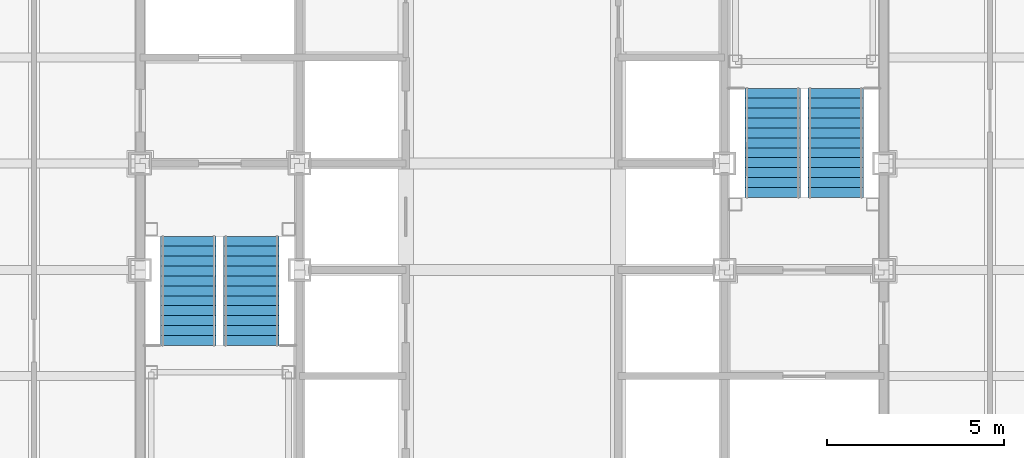
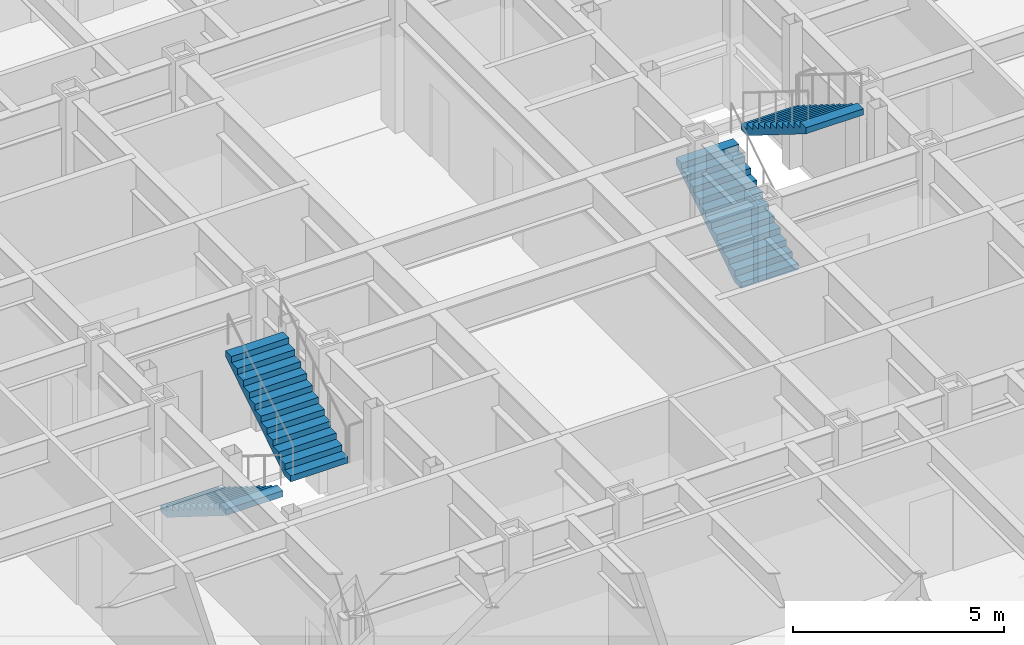
# One storey, part 14 of 16: 4 stair flights, 2 elements without a shape of their own.
"""IFC4 building model written with IfcOpenShell, lengths in metres."""

from ifc_helpers import new_model, si_unit, direction, frame, origin, place, context, subcontext, project, spatial, faceted_brep, material, type_object, element, aggregate, save


model = new_model("IFC4")

# Units and contexts
model_context = context("Model", 3, precision=1e-05, world=origin(), true_north=direction((0.0, 1.0)))
body_context = subcontext(model_context, "Body", "Model", "MODEL_VIEW")
ifc_project = project(units=[si_unit("LENGTHUNIT", "METRE"), si_unit("AREAUNIT", "SQUARE_METRE"), si_unit("VOLUMEUNIT", "CUBIC_METRE"), si_unit("PLANEANGLEUNIT", "RADIAN"), si_unit("MASSUNIT", "GRAM", prefix="KILO")], contexts=[model_context])

# Site, building, storey
site_placement = place(None, origin())
site = spatial("IfcSite", under=ifc_project, at=site_placement, CompositionType="ELEMENT")
building_placement = place(site_placement, origin())
building = spatial("IfcBuilding", under=site, at=building_placement, Name="Chuquiago Exchange Tower", CompositionType="ELEMENT")
storey_placement = place(building_placement, frame((0.0, 0.0, 201.300048828125)))
storey = spatial("IfcBuildingStorey", under=building, at=storey_placement, Name="L44", CompositionType="ELEMENT", Elevation=201.300048828125)

# Stair, stair flights
ifc_material_1 = material(Name="Concrete C30/37, precast", Category="concrete")
stair_type_1 = type_object("IfcStairType", Name="ST1 half-turn stair 4200", PredefinedType="HALF_TURN_STAIR", material=ifc_material_1)
stair_1_placement = place(storey_placement, origin())
stair_1 = element("IfcStair", 1, at=stair_1_placement, inside=storey, type_object=stair_type_1, Name="Stair ST1 L44", PredefinedType="HALF_TURN_STAIR")
ifc_material_2 = material(Name="Concrete C30/37, precast", Category="concrete")
stair_flight_type = type_object("IfcStairFlightType", Name="ST-F flight 1570 for 4200 storey", PredefinedType="STRAIGHT", material=ifc_material_2)
stair_flight_1_placement = place(storey_placement, frame((13.360107421875, 21.949951171875, 0.0), z_axis=(0.0, 0.0, 1.0), x_axis=(0.0, -1.0, 0.0)))
stair_flight_1 = element("IfcStairFlight", 2, at=stair_flight_1_placement, type_object=stair_flight_type, Name="ST1 flight 1", NumberOfRisers=12, NumberOfTreads=11, PredefinedType="STRAIGHT", RiserHeight=0.175, TreadLength=0.28, context=body_context, shape_type="Brep", body=[
    faceted_brep([(0.0, 0.78515625, 0.0), (0.0, 0.78515625, 0.175048828125), (0.280029296875, 0.78515625, 0.175048828125), (0.280029296875, 0.78515625, 0.35009765625), (0.56005859375, 0.78515625, 0.35009765625), (0.56005859375, 0.78515625, 0.52490234375), (0.840087890625, 0.78515625, 0.52490234375), (0.840087890625, 0.78515625, 0.699951171875), (1.1201171875, 0.78515625, 0.699951171875), (1.1201171875, 0.78515625, 0.875), (1.39990234375, 0.78515625, 0.875), (1.39990234375, 0.78515625, 1.050048828125), (1.679931640625, 0.78515625, 1.050048828125), (1.679931640625, 0.78515625, 1.22509765625), (1.9599609375, 0.78515625, 1.22509765625), (1.9599609375, 0.78515625, 1.39990234375), (2.239990234375, 0.78515625, 1.39990234375), (2.239990234375, 0.78515625, 1.574951171875), (2.52001953125, 0.78515625, 1.574951171875), (2.52001953125, 0.78515625, 1.75), (2.800048828125, 0.78515625, 1.75), (2.800048828125, 0.78515625, 1.925048828125), (3.080078125, 0.78515625, 1.925048828125), (3.080078125, 0.78515625, 1.748291015625), (0.28271484375, 0.78515625, 0.0), (0.28271484375, -0.78515625, 0.0), (3.080078125, -0.78515625, 1.748291015625), (3.080078125, -0.78515625, 1.925048828125), (2.800048828125, -0.78515625, 1.925048828125), (2.800048828125, -0.78515625, 1.75), (2.52001953125, -0.78515625, 1.75), (2.52001953125, -0.78515625, 1.574951171875), (2.239990234375, -0.78515625, 1.574951171875), (2.239990234375, -0.78515625, 1.39990234375), (1.9599609375, -0.78515625, 1.39990234375), (1.9599609375, -0.78515625, 1.22509765625), (1.679931640625, -0.78515625, 1.22509765625), (1.679931640625, -0.78515625, 1.050048828125), (1.39990234375, -0.78515625, 1.050048828125), (1.39990234375, -0.78515625, 0.875), (1.1201171875, -0.78515625, 0.875), (1.1201171875, -0.78515625, 0.699951171875), (0.840087890625, -0.78515625, 0.699951171875), (0.840087890625, -0.78515625, 0.52490234375), (0.56005859375, -0.78515625, 0.52490234375), (0.56005859375, -0.78515625, 0.35009765625), (0.280029296875, -0.78515625, 0.35009765625), (0.280029296875, -0.78515625, 0.175048828125), (0.0, -0.78515625, 0.175048828125), (0.0, -0.78515625, 0.0), (0.0, 0.392578125, 0.0), (0.0, 0.392578125, 0.175048828125), (0.0, 0.0, 0.0), (0.0, 0.0, 0.175048828125), (0.0, -0.392578125, 0.0), (0.0, -0.392578125, 0.175048828125), (0.280029296875, 0.392578125, 0.175048828125), (0.280029296875, 0.0, 0.175048828125), (0.280029296875, -0.392578125, 0.175048828125), (0.280029296875, 0.392578125, 0.35009765625), (0.280029296875, 0.0, 0.35009765625), (0.280029296875, -0.392578125, 0.35009765625), (0.56005859375, 0.392578125, 0.35009765625), (0.56005859375, 0.0, 0.35009765625), (0.56005859375, -0.392578125, 0.35009765625), (0.56005859375, 0.392578125, 0.52490234375), (0.56005859375, 0.0, 0.52490234375), (0.56005859375, -0.392578125, 0.52490234375), (0.840087890625, 0.392578125, 0.52490234375), (0.840087890625, 0.0, 0.52490234375), (0.840087890625, -0.392578125, 0.52490234375), (0.840087890625, 0.392578125, 0.699951171875), (0.840087890625, 0.0, 0.699951171875), (0.840087890625, -0.392578125, 0.699951171875), (1.1201171875, 0.392578125, 0.699951171875), (1.1201171875, 0.0, 0.699951171875), (1.1201171875, -0.392578125, 0.699951171875), (1.1201171875, 0.392578125, 0.875), (1.1201171875, 0.0, 0.875), (1.1201171875, -0.392578125, 0.875), (1.39990234375, 0.392578125, 0.875), (1.39990234375, 0.0, 0.875), (1.39990234375, -0.392578125, 0.875), (1.39990234375, 0.392578125, 1.050048828125), (1.39990234375, 0.0, 1.050048828125), (1.39990234375, -0.392578125, 1.050048828125), (1.679931640625, 0.392578125, 1.050048828125), (1.679931640625, 0.0, 1.050048828125), (1.679931640625, -0.392578125, 1.050048828125), (1.679931640625, 0.392578125, 1.22509765625), (1.679931640625, 0.0, 1.22509765625), (1.679931640625, -0.392578125, 1.22509765625), (1.9599609375, 0.392578125, 1.22509765625), (1.9599609375, 0.0, 1.22509765625), (1.9599609375, -0.392578125, 1.22509765625), (1.9599609375, 0.392578125, 1.39990234375), (1.9599609375, 0.0, 1.39990234375), (1.9599609375, -0.392578125, 1.39990234375), (2.239990234375, 0.392578125, 1.39990234375), (2.239990234375, 0.0, 1.39990234375), (2.239990234375, -0.392578125, 1.39990234375), (2.239990234375, 0.392578125, 1.574951171875), (2.239990234375, 0.0, 1.574951171875), (2.239990234375, -0.392578125, 1.574951171875), (2.52001953125, 0.392578125, 1.574951171875), (2.52001953125, 0.0, 1.574951171875), (2.52001953125, -0.392578125, 1.574951171875), (2.52001953125, 0.392578125, 1.75), (2.52001953125, 0.0, 1.75), (2.52001953125, -0.392578125, 1.75), (2.800048828125, 0.392578125, 1.75), (2.800048828125, 0.0, 1.75), (2.800048828125, -0.392578125, 1.75), (2.800048828125, 0.392578125, 1.925048828125), (2.800048828125, 0.0, 1.925048828125), (2.800048828125, -0.392578125, 1.925048828125), (3.080078125, 0.392578125, 1.925048828125), (3.080078125, 0.0, 1.925048828125), (3.080078125, -0.392578125, 1.925048828125), (3.080078125, 0.392578125, 1.748291015625), (3.080078125, 0.0, 1.748291015625), (3.080078125, -0.392578125, 1.748291015625), (0.28271484375, 0.392578125, 0.0), (0.28271484375, 0.0, 0.0), (0.28271484375, -0.392578125, 0.0)], [[[0, 1, 2, 3, 4, 5, 6, 7, 8, 9, 10, 11, 12, 13, 14, 15, 16, 17, 18, 19, 20, 21, 22, 23, 24]], [[25, 26, 27, 28, 29, 30, 31, 32, 33, 34, 35, 36, 37, 38, 39, 40, 41, 42, 43, 44, 45, 46, 47, 48, 49]], [[1, 0, 50, 51]], [[51, 50, 52, 53]], [[53, 52, 54, 55]], [[55, 54, 49, 48]], [[2, 1, 51, 56]], [[56, 51, 53, 57]], [[57, 53, 55, 58]], [[58, 55, 48, 47]], [[3, 2, 56, 59]], [[59, 56, 57, 60]], [[60, 57, 58, 61]], [[61, 58, 47, 46]], [[4, 3, 59, 62]], [[62, 59, 60, 63]], [[63, 60, 61, 64]], [[64, 61, 46, 45]], [[5, 4, 62, 65]], [[65, 62, 63, 66]], [[66, 63, 64, 67]], [[67, 64, 45, 44]], [[6, 5, 65, 68]], [[68, 65, 66, 69]], [[69, 66, 67, 70]], [[70, 67, 44, 43]], [[7, 6, 68, 71]], [[71, 68, 69, 72]], [[72, 69, 70, 73]], [[73, 70, 43, 42]], [[8, 7, 71, 74]], [[74, 71, 72, 75]], [[75, 72, 73, 76]], [[76, 73, 42, 41]], [[9, 8, 74, 77]], [[77, 74, 75, 78]], [[78, 75, 76, 79]], [[79, 76, 41, 40]], [[10, 9, 77, 80]], [[80, 77, 78, 81]], [[81, 78, 79, 82]], [[82, 79, 40, 39]], [[11, 10, 80, 83]], [[83, 80, 81, 84]], [[84, 81, 82, 85]], [[85, 82, 39, 38]], [[12, 11, 83, 86]], [[86, 83, 84, 87]], [[87, 84, 85, 88]], [[88, 85, 38, 37]], [[13, 12, 86, 89]], [[89, 86, 87, 90]], [[90, 87, 88, 91]], [[91, 88, 37, 36]], [[14, 13, 89, 92]], [[92, 89, 90, 93]], [[93, 90, 91, 94]], [[94, 91, 36, 35]], [[15, 14, 92, 95]], [[95, 92, 93, 96]], [[96, 93, 94, 97]], [[97, 94, 35, 34]], [[16, 15, 95, 98]], [[98, 95, 96, 99]], [[99, 96, 97, 100]], [[100, 97, 34, 33]], [[17, 16, 98, 101]], [[101, 98, 99, 102]], [[102, 99, 100, 103]], [[103, 100, 33, 32]], [[18, 17, 101, 104]], [[104, 101, 102, 105]], [[105, 102, 103, 106]], [[106, 103, 32, 31]], [[19, 18, 104, 107]], [[107, 104, 105, 108]], [[108, 105, 106, 109]], [[109, 106, 31, 30]], [[20, 19, 107, 110]], [[110, 107, 108, 111]], [[111, 108, 109, 112]], [[112, 109, 30, 29]], [[21, 20, 110, 113]], [[113, 110, 111, 114]], [[114, 111, 112, 115]], [[115, 112, 29, 28]], [[22, 21, 113, 116]], [[116, 113, 114, 117]], [[117, 114, 115, 118]], [[118, 115, 28, 27]], [[23, 22, 116, 119]], [[119, 116, 117, 120]], [[120, 117, 118, 121]], [[121, 118, 27, 26]], [[24, 23, 119, 122]], [[122, 119, 120, 123]], [[123, 120, 121, 124]], [[124, 121, 26, 25]], [[0, 24, 122, 50]], [[50, 122, 123, 52]], [[52, 123, 124, 54]], [[54, 124, 25, 49]]]),
])
stair_flight_2_placement = place(storey_placement, frame((15.139892578125, 18.8701171875, 2.099853515625), z_axis=(0.0, 0.0, 1.0), x_axis=(0.0, 1.0, 0.0)))
stair_flight_2 = element("IfcStairFlight", 3, at=stair_flight_2_placement, type_object=stair_flight_type, Name="ST1 flight 2", NumberOfRisers=12, NumberOfTreads=11, PredefinedType="STRAIGHT", RiserHeight=0.175, TreadLength=0.28, context=body_context, shape_type="Brep", body=[
    faceted_brep([(0.0, 0.78515625, 0.0), (0.0, 0.78515625, 0.175048828125), (0.280029296875, 0.78515625, 0.175048828125), (0.280029296875, 0.78515625, 0.35009765625), (0.56005859375, 0.78515625, 0.35009765625), (0.56005859375, 0.78515625, 0.52490234375), (0.840087890625, 0.78515625, 0.52490234375), (0.840087890625, 0.78515625, 0.699951171875), (1.1201171875, 0.78515625, 0.699951171875), (1.1201171875, 0.78515625, 0.875), (1.39990234375, 0.78515625, 0.875), (1.39990234375, 0.78515625, 1.050048828125), (1.679931640625, 0.78515625, 1.050048828125), (1.679931640625, 0.78515625, 1.22509765625), (1.9599609375, 0.78515625, 1.22509765625), (1.9599609375, 0.78515625, 1.39990234375), (2.239990234375, 0.78515625, 1.39990234375), (2.239990234375, 0.78515625, 1.574951171875), (2.52001953125, 0.78515625, 1.574951171875), (2.52001953125, 0.78515625, 1.75), (2.800048828125, 0.78515625, 1.75), (2.800048828125, 0.78515625, 1.925048828125), (3.080078125, 0.78515625, 1.925048828125), (3.080078125, 0.78515625, 1.748291015625), (0.28271484375, 0.78515625, 0.0), (0.28271484375, -0.78515625, 0.0), (3.080078125, -0.78515625, 1.748291015625), (3.080078125, -0.78515625, 1.925048828125), (2.800048828125, -0.78515625, 1.925048828125), (2.800048828125, -0.78515625, 1.75), (2.52001953125, -0.78515625, 1.75), (2.52001953125, -0.78515625, 1.574951171875), (2.239990234375, -0.78515625, 1.574951171875), (2.239990234375, -0.78515625, 1.39990234375), (1.9599609375, -0.78515625, 1.39990234375), (1.9599609375, -0.78515625, 1.22509765625), (1.679931640625, -0.78515625, 1.22509765625), (1.679931640625, -0.78515625, 1.050048828125), (1.39990234375, -0.78515625, 1.050048828125), (1.39990234375, -0.78515625, 0.875), (1.1201171875, -0.78515625, 0.875), (1.1201171875, -0.78515625, 0.699951171875), (0.840087890625, -0.78515625, 0.699951171875), (0.840087890625, -0.78515625, 0.52490234375), (0.56005859375, -0.78515625, 0.52490234375), (0.56005859375, -0.78515625, 0.35009765625), (0.280029296875, -0.78515625, 0.35009765625), (0.280029296875, -0.78515625, 0.175048828125), (0.0, -0.78515625, 0.175048828125), (0.0, -0.78515625, 0.0), (0.0, 0.392578125, 0.0), (0.0, 0.392578125, 0.175048828125), (0.0, 0.0, 0.0), (0.0, 0.0, 0.175048828125), (0.0, -0.392578125, 0.0), (0.0, -0.392578125, 0.175048828125), (0.280029296875, 0.392578125, 0.175048828125), (0.280029296875, 0.0, 0.175048828125), (0.280029296875, -0.392578125, 0.175048828125), (0.280029296875, 0.392578125, 0.35009765625), (0.280029296875, 0.0, 0.35009765625), (0.280029296875, -0.392578125, 0.35009765625), (0.56005859375, 0.392578125, 0.35009765625), (0.56005859375, 0.0, 0.35009765625), (0.56005859375, -0.392578125, 0.35009765625), (0.56005859375, 0.392578125, 0.52490234375), (0.56005859375, 0.0, 0.52490234375), (0.56005859375, -0.392578125, 0.52490234375), (0.840087890625, 0.392578125, 0.52490234375), (0.840087890625, 0.0, 0.52490234375), (0.840087890625, -0.392578125, 0.52490234375), (0.840087890625, 0.392578125, 0.699951171875), (0.840087890625, 0.0, 0.699951171875), (0.840087890625, -0.392578125, 0.699951171875), (1.1201171875, 0.392578125, 0.699951171875), (1.1201171875, 0.0, 0.699951171875), (1.1201171875, -0.392578125, 0.699951171875), (1.1201171875, 0.392578125, 0.875), (1.1201171875, 0.0, 0.875), (1.1201171875, -0.392578125, 0.875), (1.39990234375, 0.392578125, 0.875), (1.39990234375, 0.0, 0.875), (1.39990234375, -0.392578125, 0.875), (1.39990234375, 0.392578125, 1.050048828125), (1.39990234375, 0.0, 1.050048828125), (1.39990234375, -0.392578125, 1.050048828125), (1.679931640625, 0.392578125, 1.050048828125), (1.679931640625, 0.0, 1.050048828125), (1.679931640625, -0.392578125, 1.050048828125), (1.679931640625, 0.392578125, 1.22509765625), (1.679931640625, 0.0, 1.22509765625), (1.679931640625, -0.392578125, 1.22509765625), (1.9599609375, 0.392578125, 1.22509765625), (1.9599609375, 0.0, 1.22509765625), (1.9599609375, -0.392578125, 1.22509765625), (1.9599609375, 0.392578125, 1.39990234375), (1.9599609375, 0.0, 1.39990234375), (1.9599609375, -0.392578125, 1.39990234375), (2.239990234375, 0.392578125, 1.39990234375), (2.239990234375, 0.0, 1.39990234375), (2.239990234375, -0.392578125, 1.39990234375), (2.239990234375, 0.392578125, 1.574951171875), (2.239990234375, 0.0, 1.574951171875), (2.239990234375, -0.392578125, 1.574951171875), (2.52001953125, 0.392578125, 1.574951171875), (2.52001953125, 0.0, 1.574951171875), (2.52001953125, -0.392578125, 1.574951171875), (2.52001953125, 0.392578125, 1.75), (2.52001953125, 0.0, 1.75), (2.52001953125, -0.392578125, 1.75), (2.800048828125, 0.392578125, 1.75), (2.800048828125, 0.0, 1.75), (2.800048828125, -0.392578125, 1.75), (2.800048828125, 0.392578125, 1.925048828125), (2.800048828125, 0.0, 1.925048828125), (2.800048828125, -0.392578125, 1.925048828125), (3.080078125, 0.392578125, 1.925048828125), (3.080078125, 0.0, 1.925048828125), (3.080078125, -0.392578125, 1.925048828125), (3.080078125, 0.392578125, 1.748291015625), (3.080078125, 0.0, 1.748291015625), (3.080078125, -0.392578125, 1.748291015625), (0.28271484375, 0.392578125, 0.0), (0.28271484375, 0.0, 0.0), (0.28271484375, -0.392578125, 0.0)], [[[0, 1, 2, 3, 4, 5, 6, 7, 8, 9, 10, 11, 12, 13, 14, 15, 16, 17, 18, 19, 20, 21, 22, 23, 24]], [[25, 26, 27, 28, 29, 30, 31, 32, 33, 34, 35, 36, 37, 38, 39, 40, 41, 42, 43, 44, 45, 46, 47, 48, 49]], [[1, 0, 50, 51]], [[51, 50, 52, 53]], [[53, 52, 54, 55]], [[55, 54, 49, 48]], [[2, 1, 51, 56]], [[56, 51, 53, 57]], [[57, 53, 55, 58]], [[58, 55, 48, 47]], [[3, 2, 56, 59]], [[59, 56, 57, 60]], [[60, 57, 58, 61]], [[61, 58, 47, 46]], [[4, 3, 59, 62]], [[62, 59, 60, 63]], [[63, 60, 61, 64]], [[64, 61, 46, 45]], [[5, 4, 62, 65]], [[65, 62, 63, 66]], [[66, 63, 64, 67]], [[67, 64, 45, 44]], [[6, 5, 65, 68]], [[68, 65, 66, 69]], [[69, 66, 67, 70]], [[70, 67, 44, 43]], [[7, 6, 68, 71]], [[71, 68, 69, 72]], [[72, 69, 70, 73]], [[73, 70, 43, 42]], [[8, 7, 71, 74]], [[74, 71, 72, 75]], [[75, 72, 73, 76]], [[76, 73, 42, 41]], [[9, 8, 74, 77]], [[77, 74, 75, 78]], [[78, 75, 76, 79]], [[79, 76, 41, 40]], [[10, 9, 77, 80]], [[80, 77, 78, 81]], [[81, 78, 79, 82]], [[82, 79, 40, 39]], [[11, 10, 80, 83]], [[83, 80, 81, 84]], [[84, 81, 82, 85]], [[85, 82, 39, 38]], [[12, 11, 83, 86]], [[86, 83, 84, 87]], [[87, 84, 85, 88]], [[88, 85, 38, 37]], [[13, 12, 86, 89]], [[89, 86, 87, 90]], [[90, 87, 88, 91]], [[91, 88, 37, 36]], [[14, 13, 89, 92]], [[92, 89, 90, 93]], [[93, 90, 91, 94]], [[94, 91, 36, 35]], [[15, 14, 92, 95]], [[95, 92, 93, 96]], [[96, 93, 94, 97]], [[97, 94, 35, 34]], [[16, 15, 95, 98]], [[98, 95, 96, 99]], [[99, 96, 97, 100]], [[100, 97, 34, 33]], [[17, 16, 98, 101]], [[101, 98, 99, 102]], [[102, 99, 100, 103]], [[103, 100, 33, 32]], [[18, 17, 101, 104]], [[104, 101, 102, 105]], [[105, 102, 103, 106]], [[106, 103, 32, 31]], [[19, 18, 104, 107]], [[107, 104, 105, 108]], [[108, 105, 106, 109]], [[109, 106, 31, 30]], [[20, 19, 107, 110]], [[110, 107, 108, 111]], [[111, 108, 109, 112]], [[112, 109, 30, 29]], [[21, 20, 110, 113]], [[113, 110, 111, 114]], [[114, 111, 112, 115]], [[115, 112, 29, 28]], [[22, 21, 113, 116]], [[116, 113, 114, 117]], [[117, 114, 115, 118]], [[118, 115, 28, 27]], [[23, 22, 116, 119]], [[119, 116, 117, 120]], [[120, 117, 118, 121]], [[121, 118, 27, 26]], [[24, 23, 119, 122]], [[122, 119, 120, 123]], [[123, 120, 121, 124]], [[124, 121, 26, 25]], [[0, 24, 122, 50]], [[50, 122, 123, 52]], [[52, 123, 124, 54]], [[54, 124, 25, 49]]]),
])
aggregate(stair_1, [stair_flight_1, stair_flight_2])

ifc_material_3 = material(Name="Concrete C30/37, precast", Category="concrete")
stair_type_2 = type_object("IfcStairType", Name="ST2 half-turn stair 4200", PredefinedType="HALF_TURN_STAIR", material=ifc_material_3)
stair_2_placement = place(storey_placement, origin())
stair_2 = element("IfcStair", 4, at=stair_2_placement, inside=storey, type_object=stair_type_2, Name="Stair ST2 L44", PredefinedType="HALF_TURN_STAIR")
stair_flight_3_placement = place(storey_placement, frame((29.860107421875, 23.050048828125, 0.0), z_axis=(0.0, 0.0, 1.0), x_axis=(0.0, 1.0, 0.0)))
stair_flight_3 = element("IfcStairFlight", 5, at=stair_flight_3_placement, type_object=stair_flight_type, Name="ST2 flight 1", NumberOfRisers=12, NumberOfTreads=11, PredefinedType="STRAIGHT", RiserHeight=0.175, TreadLength=0.28, context=body_context, shape_type="Brep", body=[
    faceted_brep([(0.0, 0.78515625, 0.0), (0.0, 0.78515625, 0.175048828125), (0.280029296875, 0.78515625, 0.175048828125), (0.280029296875, 0.78515625, 0.35009765625), (0.56005859375, 0.78515625, 0.35009765625), (0.56005859375, 0.78515625, 0.52490234375), (0.840087890625, 0.78515625, 0.52490234375), (0.840087890625, 0.78515625, 0.699951171875), (1.1201171875, 0.78515625, 0.699951171875), (1.1201171875, 0.78515625, 0.875), (1.39990234375, 0.78515625, 0.875), (1.39990234375, 0.78515625, 1.050048828125), (1.679931640625, 0.78515625, 1.050048828125), (1.679931640625, 0.78515625, 1.22509765625), (1.9599609375, 0.78515625, 1.22509765625), (1.9599609375, 0.78515625, 1.39990234375), (2.239990234375, 0.78515625, 1.39990234375), (2.239990234375, 0.78515625, 1.574951171875), (2.52001953125, 0.78515625, 1.574951171875), (2.52001953125, 0.78515625, 1.75), (2.800048828125, 0.78515625, 1.75), (2.800048828125, 0.78515625, 1.925048828125), (3.080078125, 0.78515625, 1.925048828125), (3.080078125, 0.78515625, 1.748291015625), (0.28271484375, 0.78515625, 0.0), (0.28271484375, -0.78515625, 0.0), (3.080078125, -0.78515625, 1.748291015625), (3.080078125, -0.78515625, 1.925048828125), (2.800048828125, -0.78515625, 1.925048828125), (2.800048828125, -0.78515625, 1.75), (2.52001953125, -0.78515625, 1.75), (2.52001953125, -0.78515625, 1.574951171875), (2.239990234375, -0.78515625, 1.574951171875), (2.239990234375, -0.78515625, 1.39990234375), (1.9599609375, -0.78515625, 1.39990234375), (1.9599609375, -0.78515625, 1.22509765625), (1.679931640625, -0.78515625, 1.22509765625), (1.679931640625, -0.78515625, 1.050048828125), (1.39990234375, -0.78515625, 1.050048828125), (1.39990234375, -0.78515625, 0.875), (1.1201171875, -0.78515625, 0.875), (1.1201171875, -0.78515625, 0.699951171875), (0.840087890625, -0.78515625, 0.699951171875), (0.840087890625, -0.78515625, 0.52490234375), (0.56005859375, -0.78515625, 0.52490234375), (0.56005859375, -0.78515625, 0.35009765625), (0.280029296875, -0.78515625, 0.35009765625), (0.280029296875, -0.78515625, 0.175048828125), (0.0, -0.78515625, 0.175048828125), (0.0, -0.78515625, 0.0), (0.0, 0.392578125, 0.0), (0.0, 0.392578125, 0.175048828125), (0.0, 0.0, 0.0), (0.0, 0.0, 0.175048828125), (0.0, -0.392578125, 0.0), (0.0, -0.392578125, 0.175048828125), (0.280029296875, 0.392578125, 0.175048828125), (0.280029296875, 0.0, 0.175048828125), (0.280029296875, -0.392578125, 0.175048828125), (0.280029296875, 0.392578125, 0.35009765625), (0.280029296875, 0.0, 0.35009765625), (0.280029296875, -0.392578125, 0.35009765625), (0.56005859375, 0.392578125, 0.35009765625), (0.56005859375, 0.0, 0.35009765625), (0.56005859375, -0.392578125, 0.35009765625), (0.56005859375, 0.392578125, 0.52490234375), (0.56005859375, 0.0, 0.52490234375), (0.56005859375, -0.392578125, 0.52490234375), (0.840087890625, 0.392578125, 0.52490234375), (0.840087890625, 0.0, 0.52490234375), (0.840087890625, -0.392578125, 0.52490234375), (0.840087890625, 0.392578125, 0.699951171875), (0.840087890625, 0.0, 0.699951171875), (0.840087890625, -0.392578125, 0.699951171875), (1.1201171875, 0.392578125, 0.699951171875), (1.1201171875, 0.0, 0.699951171875), (1.1201171875, -0.392578125, 0.699951171875), (1.1201171875, 0.392578125, 0.875), (1.1201171875, 0.0, 0.875), (1.1201171875, -0.392578125, 0.875), (1.39990234375, 0.392578125, 0.875), (1.39990234375, 0.0, 0.875), (1.39990234375, -0.392578125, 0.875), (1.39990234375, 0.392578125, 1.050048828125), (1.39990234375, 0.0, 1.050048828125), (1.39990234375, -0.392578125, 1.050048828125), (1.679931640625, 0.392578125, 1.050048828125), (1.679931640625, 0.0, 1.050048828125), (1.679931640625, -0.392578125, 1.050048828125), (1.679931640625, 0.392578125, 1.22509765625), (1.679931640625, 0.0, 1.22509765625), (1.679931640625, -0.392578125, 1.22509765625), (1.9599609375, 0.392578125, 1.22509765625), (1.9599609375, 0.0, 1.22509765625), (1.9599609375, -0.392578125, 1.22509765625), (1.9599609375, 0.392578125, 1.39990234375), (1.9599609375, 0.0, 1.39990234375), (1.9599609375, -0.392578125, 1.39990234375), (2.239990234375, 0.392578125, 1.39990234375), (2.239990234375, 0.0, 1.39990234375), (2.239990234375, -0.392578125, 1.39990234375), (2.239990234375, 0.392578125, 1.574951171875), (2.239990234375, 0.0, 1.574951171875), (2.239990234375, -0.392578125, 1.574951171875), (2.52001953125, 0.392578125, 1.574951171875), (2.52001953125, 0.0, 1.574951171875), (2.52001953125, -0.392578125, 1.574951171875), (2.52001953125, 0.392578125, 1.75), (2.52001953125, 0.0, 1.75), (2.52001953125, -0.392578125, 1.75), (2.800048828125, 0.392578125, 1.75), (2.800048828125, 0.0, 1.75), (2.800048828125, -0.392578125, 1.75), (2.800048828125, 0.392578125, 1.925048828125), (2.800048828125, 0.0, 1.925048828125), (2.800048828125, -0.392578125, 1.925048828125), (3.080078125, 0.392578125, 1.925048828125), (3.080078125, 0.0, 1.925048828125), (3.080078125, -0.392578125, 1.925048828125), (3.080078125, 0.392578125, 1.748291015625), (3.080078125, 0.0, 1.748291015625), (3.080078125, -0.392578125, 1.748291015625), (0.28271484375, 0.392578125, 0.0), (0.28271484375, 0.0, 0.0), (0.28271484375, -0.392578125, 0.0)], [[[0, 1, 2, 3, 4, 5, 6, 7, 8, 9, 10, 11, 12, 13, 14, 15, 16, 17, 18, 19, 20, 21, 22, 23, 24]], [[25, 26, 27, 28, 29, 30, 31, 32, 33, 34, 35, 36, 37, 38, 39, 40, 41, 42, 43, 44, 45, 46, 47, 48, 49]], [[1, 0, 50, 51]], [[51, 50, 52, 53]], [[53, 52, 54, 55]], [[55, 54, 49, 48]], [[2, 1, 51, 56]], [[56, 51, 53, 57]], [[57, 53, 55, 58]], [[58, 55, 48, 47]], [[3, 2, 56, 59]], [[59, 56, 57, 60]], [[60, 57, 58, 61]], [[61, 58, 47, 46]], [[4, 3, 59, 62]], [[62, 59, 60, 63]], [[63, 60, 61, 64]], [[64, 61, 46, 45]], [[5, 4, 62, 65]], [[65, 62, 63, 66]], [[66, 63, 64, 67]], [[67, 64, 45, 44]], [[6, 5, 65, 68]], [[68, 65, 66, 69]], [[69, 66, 67, 70]], [[70, 67, 44, 43]], [[7, 6, 68, 71]], [[71, 68, 69, 72]], [[72, 69, 70, 73]], [[73, 70, 43, 42]], [[8, 7, 71, 74]], [[74, 71, 72, 75]], [[75, 72, 73, 76]], [[76, 73, 42, 41]], [[9, 8, 74, 77]], [[77, 74, 75, 78]], [[78, 75, 76, 79]], [[79, 76, 41, 40]], [[10, 9, 77, 80]], [[80, 77, 78, 81]], [[81, 78, 79, 82]], [[82, 79, 40, 39]], [[11, 10, 80, 83]], [[83, 80, 81, 84]], [[84, 81, 82, 85]], [[85, 82, 39, 38]], [[12, 11, 83, 86]], [[86, 83, 84, 87]], [[87, 84, 85, 88]], [[88, 85, 38, 37]], [[13, 12, 86, 89]], [[89, 86, 87, 90]], [[90, 87, 88, 91]], [[91, 88, 37, 36]], [[14, 13, 89, 92]], [[92, 89, 90, 93]], [[93, 90, 91, 94]], [[94, 91, 36, 35]], [[15, 14, 92, 95]], [[95, 92, 93, 96]], [[96, 93, 94, 97]], [[97, 94, 35, 34]], [[16, 15, 95, 98]], [[98, 95, 96, 99]], [[99, 96, 97, 100]], [[100, 97, 34, 33]], [[17, 16, 98, 101]], [[101, 98, 99, 102]], [[102, 99, 100, 103]], [[103, 100, 33, 32]], [[18, 17, 101, 104]], [[104, 101, 102, 105]], [[105, 102, 103, 106]], [[106, 103, 32, 31]], [[19, 18, 104, 107]], [[107, 104, 105, 108]], [[108, 105, 106, 109]], [[109, 106, 31, 30]], [[20, 19, 107, 110]], [[110, 107, 108, 111]], [[111, 108, 109, 112]], [[112, 109, 30, 29]], [[21, 20, 110, 113]], [[113, 110, 111, 114]], [[114, 111, 112, 115]], [[115, 112, 29, 28]], [[22, 21, 113, 116]], [[116, 113, 114, 117]], [[117, 114, 115, 118]], [[118, 115, 28, 27]], [[23, 22, 116, 119]], [[119, 116, 117, 120]], [[120, 117, 118, 121]], [[121, 118, 27, 26]], [[24, 23, 119, 122]], [[122, 119, 120, 123]], [[123, 120, 121, 124]], [[124, 121, 26, 25]], [[0, 24, 122, 50]], [[50, 122, 123, 52]], [[52, 123, 124, 54]], [[54, 124, 25, 49]]]),
])
stair_flight_4_placement = place(storey_placement, frame((31.639892578125, 26.1298828125, 2.099853515625), z_axis=(0.0, 0.0, 1.0), x_axis=(0.0, -1.0, 0.0)))
stair_flight_4 = element("IfcStairFlight", 6, at=stair_flight_4_placement, type_object=stair_flight_type, Name="ST2 flight 2", NumberOfRisers=12, NumberOfTreads=11, PredefinedType="STRAIGHT", RiserHeight=0.175, TreadLength=0.28, context=body_context, shape_type="Brep", body=[
    faceted_brep([(0.0, 0.78515625, 0.0), (0.0, 0.78515625, 0.175048828125), (0.280029296875, 0.78515625, 0.175048828125), (0.280029296875, 0.78515625, 0.35009765625), (0.56005859375, 0.78515625, 0.35009765625), (0.56005859375, 0.78515625, 0.52490234375), (0.840087890625, 0.78515625, 0.52490234375), (0.840087890625, 0.78515625, 0.699951171875), (1.1201171875, 0.78515625, 0.699951171875), (1.1201171875, 0.78515625, 0.875), (1.39990234375, 0.78515625, 0.875), (1.39990234375, 0.78515625, 1.050048828125), (1.679931640625, 0.78515625, 1.050048828125), (1.679931640625, 0.78515625, 1.22509765625), (1.9599609375, 0.78515625, 1.22509765625), (1.9599609375, 0.78515625, 1.39990234375), (2.239990234375, 0.78515625, 1.39990234375), (2.239990234375, 0.78515625, 1.574951171875), (2.52001953125, 0.78515625, 1.574951171875), (2.52001953125, 0.78515625, 1.75), (2.800048828125, 0.78515625, 1.75), (2.800048828125, 0.78515625, 1.925048828125), (3.080078125, 0.78515625, 1.925048828125), (3.080078125, 0.78515625, 1.748291015625), (0.28271484375, 0.78515625, 0.0), (0.28271484375, -0.78515625, 0.0), (3.080078125, -0.78515625, 1.748291015625), (3.080078125, -0.78515625, 1.925048828125), (2.800048828125, -0.78515625, 1.925048828125), (2.800048828125, -0.78515625, 1.75), (2.52001953125, -0.78515625, 1.75), (2.52001953125, -0.78515625, 1.574951171875), (2.239990234375, -0.78515625, 1.574951171875), (2.239990234375, -0.78515625, 1.39990234375), (1.9599609375, -0.78515625, 1.39990234375), (1.9599609375, -0.78515625, 1.22509765625), (1.679931640625, -0.78515625, 1.22509765625), (1.679931640625, -0.78515625, 1.050048828125), (1.39990234375, -0.78515625, 1.050048828125), (1.39990234375, -0.78515625, 0.875), (1.1201171875, -0.78515625, 0.875), (1.1201171875, -0.78515625, 0.699951171875), (0.840087890625, -0.78515625, 0.699951171875), (0.840087890625, -0.78515625, 0.52490234375), (0.56005859375, -0.78515625, 0.52490234375), (0.56005859375, -0.78515625, 0.35009765625), (0.280029296875, -0.78515625, 0.35009765625), (0.280029296875, -0.78515625, 0.175048828125), (0.0, -0.78515625, 0.175048828125), (0.0, -0.78515625, 0.0), (0.0, 0.392578125, 0.0), (0.0, 0.392578125, 0.175048828125), (0.0, 0.0, 0.0), (0.0, 0.0, 0.175048828125), (0.0, -0.392578125, 0.0), (0.0, -0.392578125, 0.175048828125), (0.280029296875, 0.392578125, 0.175048828125), (0.280029296875, 0.0, 0.175048828125), (0.280029296875, -0.392578125, 0.175048828125), (0.280029296875, 0.392578125, 0.35009765625), (0.280029296875, 0.0, 0.35009765625), (0.280029296875, -0.392578125, 0.35009765625), (0.56005859375, 0.392578125, 0.35009765625), (0.56005859375, 0.0, 0.35009765625), (0.56005859375, -0.392578125, 0.35009765625), (0.56005859375, 0.392578125, 0.52490234375), (0.56005859375, 0.0, 0.52490234375), (0.56005859375, -0.392578125, 0.52490234375), (0.840087890625, 0.392578125, 0.52490234375), (0.840087890625, 0.0, 0.52490234375), (0.840087890625, -0.392578125, 0.52490234375), (0.840087890625, 0.392578125, 0.699951171875), (0.840087890625, 0.0, 0.699951171875), (0.840087890625, -0.392578125, 0.699951171875), (1.1201171875, 0.392578125, 0.699951171875), (1.1201171875, 0.0, 0.699951171875), (1.1201171875, -0.392578125, 0.699951171875), (1.1201171875, 0.392578125, 0.875), (1.1201171875, 0.0, 0.875), (1.1201171875, -0.392578125, 0.875), (1.39990234375, 0.392578125, 0.875), (1.39990234375, 0.0, 0.875), (1.39990234375, -0.392578125, 0.875), (1.39990234375, 0.392578125, 1.050048828125), (1.39990234375, 0.0, 1.050048828125), (1.39990234375, -0.392578125, 1.050048828125), (1.679931640625, 0.392578125, 1.050048828125), (1.679931640625, 0.0, 1.050048828125), (1.679931640625, -0.392578125, 1.050048828125), (1.679931640625, 0.392578125, 1.22509765625), (1.679931640625, 0.0, 1.22509765625), (1.679931640625, -0.392578125, 1.22509765625), (1.9599609375, 0.392578125, 1.22509765625), (1.9599609375, 0.0, 1.22509765625), (1.9599609375, -0.392578125, 1.22509765625), (1.9599609375, 0.392578125, 1.39990234375), (1.9599609375, 0.0, 1.39990234375), (1.9599609375, -0.392578125, 1.39990234375), (2.239990234375, 0.392578125, 1.39990234375), (2.239990234375, 0.0, 1.39990234375), (2.239990234375, -0.392578125, 1.39990234375), (2.239990234375, 0.392578125, 1.574951171875), (2.239990234375, 0.0, 1.574951171875), (2.239990234375, -0.392578125, 1.574951171875), (2.52001953125, 0.392578125, 1.574951171875), (2.52001953125, 0.0, 1.574951171875), (2.52001953125, -0.392578125, 1.574951171875), (2.52001953125, 0.392578125, 1.75), (2.52001953125, 0.0, 1.75), (2.52001953125, -0.392578125, 1.75), (2.800048828125, 0.392578125, 1.75), (2.800048828125, 0.0, 1.75), (2.800048828125, -0.392578125, 1.75), (2.800048828125, 0.392578125, 1.925048828125), (2.800048828125, 0.0, 1.925048828125), (2.800048828125, -0.392578125, 1.925048828125), (3.080078125, 0.392578125, 1.925048828125), (3.080078125, 0.0, 1.925048828125), (3.080078125, -0.392578125, 1.925048828125), (3.080078125, 0.392578125, 1.748291015625), (3.080078125, 0.0, 1.748291015625), (3.080078125, -0.392578125, 1.748291015625), (0.28271484375, 0.392578125, 0.0), (0.28271484375, 0.0, 0.0), (0.28271484375, -0.392578125, 0.0)], [[[0, 1, 2, 3, 4, 5, 6, 7, 8, 9, 10, 11, 12, 13, 14, 15, 16, 17, 18, 19, 20, 21, 22, 23, 24]], [[25, 26, 27, 28, 29, 30, 31, 32, 33, 34, 35, 36, 37, 38, 39, 40, 41, 42, 43, 44, 45, 46, 47, 48, 49]], [[1, 0, 50, 51]], [[51, 50, 52, 53]], [[53, 52, 54, 55]], [[55, 54, 49, 48]], [[2, 1, 51, 56]], [[56, 51, 53, 57]], [[57, 53, 55, 58]], [[58, 55, 48, 47]], [[3, 2, 56, 59]], [[59, 56, 57, 60]], [[60, 57, 58, 61]], [[61, 58, 47, 46]], [[4, 3, 59, 62]], [[62, 59, 60, 63]], [[63, 60, 61, 64]], [[64, 61, 46, 45]], [[5, 4, 62, 65]], [[65, 62, 63, 66]], [[66, 63, 64, 67]], [[67, 64, 45, 44]], [[6, 5, 65, 68]], [[68, 65, 66, 69]], [[69, 66, 67, 70]], [[70, 67, 44, 43]], [[7, 6, 68, 71]], [[71, 68, 69, 72]], [[72, 69, 70, 73]], [[73, 70, 43, 42]], [[8, 7, 71, 74]], [[74, 71, 72, 75]], [[75, 72, 73, 76]], [[76, 73, 42, 41]], [[9, 8, 74, 77]], [[77, 74, 75, 78]], [[78, 75, 76, 79]], [[79, 76, 41, 40]], [[10, 9, 77, 80]], [[80, 77, 78, 81]], [[81, 78, 79, 82]], [[82, 79, 40, 39]], [[11, 10, 80, 83]], [[83, 80, 81, 84]], [[84, 81, 82, 85]], [[85, 82, 39, 38]], [[12, 11, 83, 86]], [[86, 83, 84, 87]], [[87, 84, 85, 88]], [[88, 85, 38, 37]], [[13, 12, 86, 89]], [[89, 86, 87, 90]], [[90, 87, 88, 91]], [[91, 88, 37, 36]], [[14, 13, 89, 92]], [[92, 89, 90, 93]], [[93, 90, 91, 94]], [[94, 91, 36, 35]], [[15, 14, 92, 95]], [[95, 92, 93, 96]], [[96, 93, 94, 97]], [[97, 94, 35, 34]], [[16, 15, 95, 98]], [[98, 95, 96, 99]], [[99, 96, 97, 100]], [[100, 97, 34, 33]], [[17, 16, 98, 101]], [[101, 98, 99, 102]], [[102, 99, 100, 103]], [[103, 100, 33, 32]], [[18, 17, 101, 104]], [[104, 101, 102, 105]], [[105, 102, 103, 106]], [[106, 103, 32, 31]], [[19, 18, 104, 107]], [[107, 104, 105, 108]], [[108, 105, 106, 109]], [[109, 106, 31, 30]], [[20, 19, 107, 110]], [[110, 107, 108, 111]], [[111, 108, 109, 112]], [[112, 109, 30, 29]], [[21, 20, 110, 113]], [[113, 110, 111, 114]], [[114, 111, 112, 115]], [[115, 112, 29, 28]], [[22, 21, 113, 116]], [[116, 113, 114, 117]], [[117, 114, 115, 118]], [[118, 115, 28, 27]], [[23, 22, 116, 119]], [[119, 116, 117, 120]], [[120, 117, 118, 121]], [[121, 118, 27, 26]], [[24, 23, 119, 122]], [[122, 119, 120, 123]], [[123, 120, 121, 124]], [[124, 121, 26, 25]], [[0, 24, 122, 50]], [[50, 122, 123, 52]], [[52, 123, 124, 54]], [[54, 124, 25, 49]]]),
])
aggregate(stair_2, [stair_flight_3, stair_flight_4])

save(model, "model.ifc")
